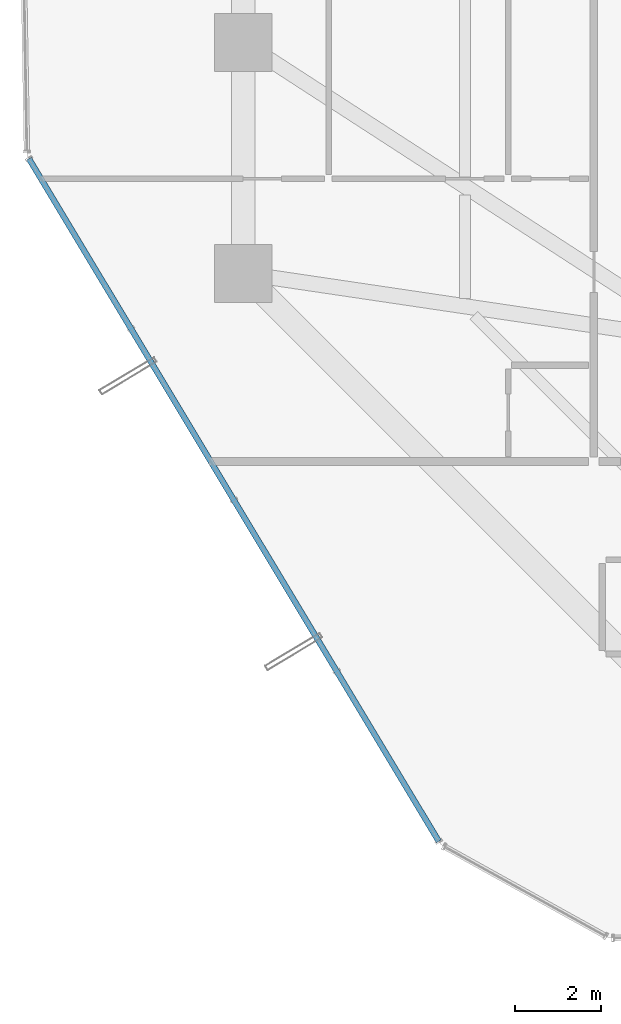
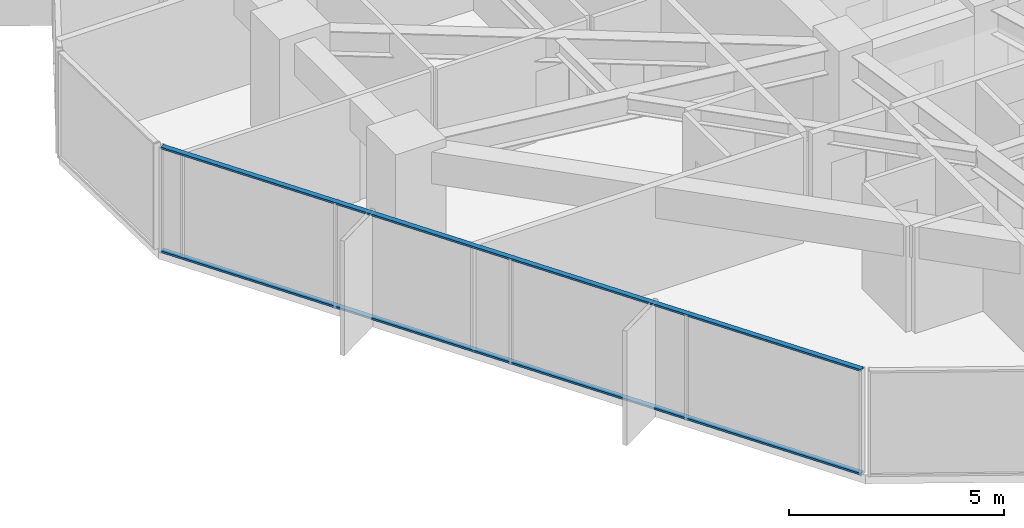
# One storey, part 3 of 39: 2 members, 1 element without a shape of its own.
"""IFC4 building model written with IfcOpenShell, lengths in metres."""

from ifc_helpers import new_model, si_unit, direction, frame, origin, origin_2d, place, context, subcontext, project, spatial, hollow_rectangle, extrude, source, transform, mapped, material, layer, layer_set, material_profile, profile_set, type_object, element, aggregate, save


model = new_model("IFC4")

# Units and contexts
model_context = context("Model", 3, precision=1e-05, world=origin(), true_north=direction((0.0, 1.0)))
body_context = subcontext(model_context, "Body", "Model", "MODEL_VIEW")
ifc_project = project(units=[si_unit("LENGTHUNIT", "METRE"), si_unit("AREAUNIT", "SQUARE_METRE"), si_unit("VOLUMEUNIT", "CUBIC_METRE"), si_unit("PLANEANGLEUNIT", "RADIAN"), si_unit("MASSUNIT", "GRAM", prefix="KILO")], contexts=[model_context])

# Site, building, storey
site_placement = place(None, origin())
site = spatial("IfcSite", under=ifc_project, at=site_placement, CompositionType="ELEMENT")
building_placement = place(site_placement, origin())
building = spatial("IfcBuilding", under=site, at=building_placement, Name="Veraguas Prism Commons", CompositionType="ELEMENT")
storey_placement = place(building_placement, frame((0.0, 0.0, 27.300048828125)))
storey = spatial("IfcBuildingStorey", under=building, at=storey_placement, Name="L06", CompositionType="ELEMENT", Elevation=27.300048828125)

# Curtain wall, members
ifc_material = material(Name="Anodised aluminium EN AW-6063 T6", Category="aluminium")
ifc_layer = layer(ifc_material, 0.169921875, Name="Unitised Flush Curtain Wall Zone 1", Category="aluminium")
ifc_layer_set = layer_set([ifc_layer], Name="Anodised aluminium EN AW-6063 T6")
curtain_wall_type = type_object("IfcCurtainWallType", Name="Unitised Flush Curtain Wall Zone 1", PredefinedType="NOTDEFINED", material=ifc_layer_set)
curtain_wall_placement = place(storey_placement, origin())
curtain_wall = element("IfcCurtainWall", 1, at=curtain_wall_placement, inside=storey, type_object=curtain_wall_type, Name="Tower Facade Curtain Wall L06-F4", PredefinedType="NOTDEFINED")
ifc_material_profile = material_profile(ifc_material, hollow_rectangle(XDim=0.054931640625, YDim=0.135009765625, WallThickness=0.0029296875, at=origin_2d()), Name="AL55X135X3")
ifc_profile_set = profile_set([ifc_material_profile], Name="Anodised aluminium EN AW-6063 T6")
member_type = type_object("IfcMemberType", Name="Curtain Wall Transom Standard AL 55x135x3", PredefinedType="USERDEFINED", material=ifc_profile_set)
shared_shape = source(origin(), body_context, "Body", "SweptSolid", [
    extrude(hollow_rectangle(XDim=0.054931640625, YDim=0.135009765625, WallThickness=0.0029296875, at=origin_2d()), origin(), (0.0, 0.0, 1.0), 18.6240234375),
])
member_1_placement = place(storey_placement, frame((1.38720703125, 21.284912109375, 0.02734375), z_axis=(0.514734780414, -0.857349465406, 0.0), x_axis=(0.0, 0.0, 1.0)))
member_1 = element("IfcMember", 2, at=member_1_placement, type_object=member_type, Name="CW-Z1 Transom 1", ObjectType="TRANSOM", PredefinedType="USERDEFINED", context=body_context, shape_type="MappedRepresentation", body=[
    mapped(shared_shape, transform((0.0, 0.0, 0.0), scale=1.0)),
])
member_2_placement = place(storey_placement, frame((1.38720703125, 21.284912109375, 2.972412109375), z_axis=(0.514734780414, -0.857349465406, 0.0), x_axis=(0.0, 0.0, 1.0)))
member_2 = element("IfcMember", 3, at=member_2_placement, type_object=member_type, Name="CW-Z1 Transom 2", ObjectType="TRANSOM", PredefinedType="USERDEFINED", context=body_context, shape_type="MappedRepresentation", body=[
    mapped(shared_shape, transform((0.0, 0.0, 0.0), scale=1.0)),
])
aggregate(curtain_wall, [member_1, member_2])

save(model, "model.ifc")
